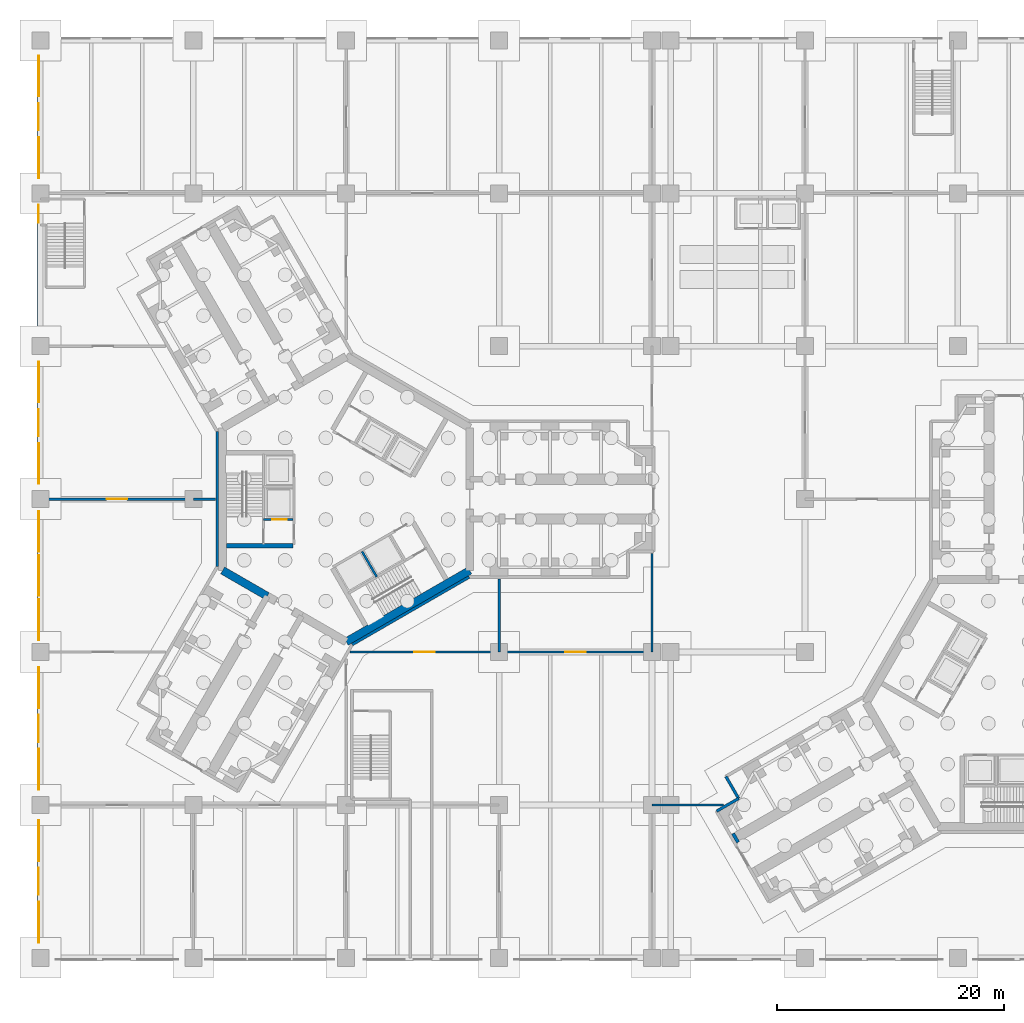
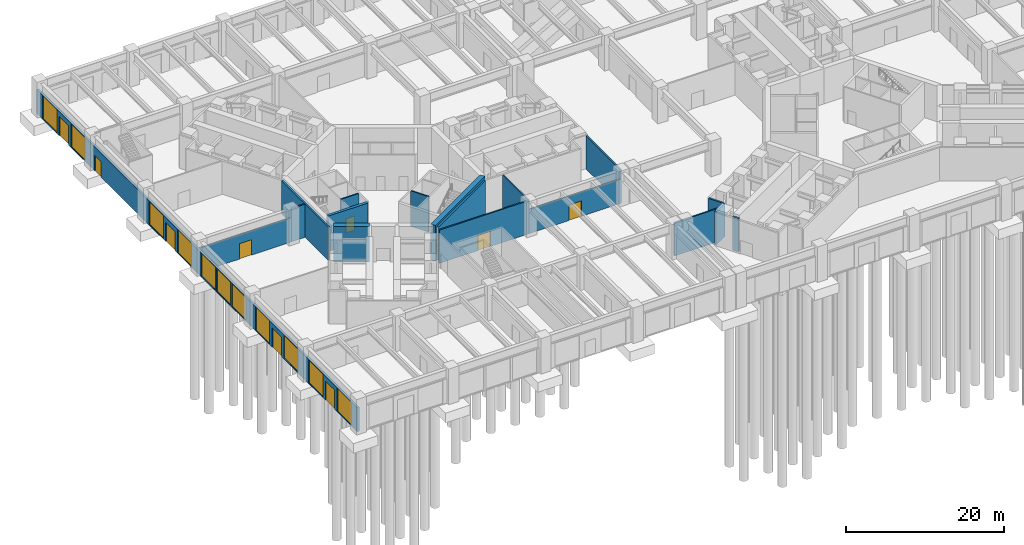
# One storey, part 7 of 18: 18 walls, 11 windows, 9 doors, 20 openings.
"""IFC4 building model written with IfcOpenShell, lengths in metres."""

from ifc_helpers import new_model, si_unit, direction, frame, frame_2d, origin, place, context, subcontext, project, spatial, rectangle, extrude, material, layer, layer_set, type_object, element, fill, save


model = new_model("IFC4")

# Units and contexts
model_context = context("Model", 3, precision=1e-05, world=origin(), true_north=direction((0.0, 1.0)))
body_context = subcontext(model_context, "Body", "Model", "MODEL_VIEW")
ifc_project = project(units=[si_unit("LENGTHUNIT", "METRE"), si_unit("AREAUNIT", "SQUARE_METRE"), si_unit("VOLUMEUNIT", "CUBIC_METRE"), si_unit("PLANEANGLEUNIT", "RADIAN"), si_unit("MASSUNIT", "GRAM", prefix="KILO")], contexts=[model_context])

# Site, building, storey
site_placement = place(None, origin())
site = spatial("IfcSite", under=ifc_project, at=site_placement, CompositionType="ELEMENT")
building_placement = place(site_placement, origin())
building = spatial("IfcBuilding", under=site, at=building_placement, Name="Upepo Twin Towers", CompositionType="ELEMENT")
storey_placement = place(building_placement, origin())
storey = spatial("IfcBuildingStorey", under=building, at=storey_placement, Name="L00", CompositionType="ELEMENT", Elevation=0.0)

# Walls
ifc_material_1 = material(Name="Dense concrete blockwork", Category="masonry")
ifc_layer_1 = layer(ifc_material_1, 0.89990234375)
ifc_layer_set_1 = layer_set([ifc_layer_1], Name="Buttress closer 900, blockwork with fire-stopping to the curtain wall")
wall_type_1 = type_object("IfcWallType", Name="Buttress closer 900, blockwork with fire-stopping to the curtain wall", PredefinedType="PARTITIONING", material=ifc_layer_set_1)
wall_1_placement = place(storey_placement, frame((34.502197265625, -29.83447265625, 0.0), z_axis=(0.0, 0.0, 1.0), x_axis=(-0.866131372301, -0.499816412211, 0.0)))
element("IfcWall", 1, at=wall_1_placement, inside=storey, type_object=wall_type_1, Name="T2 L00 wing B buttress closer R", PredefinedType="PARTITIONING", context=body_context, shape_type="SweptSolid", body=[
    extrude(rectangle(XDim=0.2998046875, YDim=0.89990234375, at=frame_2d((0.14990234375, 0.0))), origin(), (0.0, 0.0, 1.0), 5.14990234375),
])
ifc_material_2 = material(Name="Concrete C60/75", Category="concrete")
ifc_layer_2 = layer(ifc_material_2, 0.699951171875)
ifc_layer_set_2 = layer_set([ifc_layer_2], Name="Concrete C60/75")
wall_type_2 = type_object("IfcWallType", Name="Core wall 700 RC", PredefinedType="SHEAR", material=ifc_layer_set_2)
wall_2_placement = place(storey_placement, frame((-10.908447265625, -6.2978515625, 0.0), z_axis=(0.0, 0.0, 1.0), x_axis=(0.866034513004, -0.499984222037, 0.0)))
element("IfcWall", 2, at=wall_2_placement, inside=storey, type_object=wall_type_2, Name="T1 core wall 240 R", PredefinedType="SHEAR", context=body_context, shape_type="SweptSolid", body=[
    extrude(rectangle(XDim=4.548095703125, YDim=0.699951171875, at=frame_2d((2.27392578125, 0.0))), origin(), (0.0, 0.0, 1.0), 5.5),
])
wall_3_placement = place(storey_placement, frame((0.0, -12.595947265625, 0.0), z_axis=(0.0, 0.0, 1.0), x_axis=(0.866021940709, 0.500005998175, 0.0)))
element("IfcWall", 3, at=wall_3_placement, inside=storey, type_object=wall_type_2, Name="T1 core wall 300", PredefinedType="SHEAR", context=body_context, shape_type="SweptSolid", body=[
    extrude(rectangle(XDim=12.595947265625, YDim=0.699951171875, at=frame_2d((6.2978515625, 0.0))), origin(), (0.0, 0.0, 1.0), 5.5),
])

# Wall, opening, door
ifc_material_3 = material(Name="Concrete blockwork", Category="masonry")
ifc_layer_3 = layer(ifc_material_3, 0.199951171875)
ifc_layer_set_3 = layer_set([ifc_layer_3], Name="Podium partition 200 blockwork")
wall_type_3 = type_object("IfcWallType", Name="Podium partition 200 blockwork", PredefinedType="PARTITIONING", material=ifc_layer_set_3)
wall_4_placement = place(storey_placement, frame((-27.0, 0.0, 0.0), z_axis=(0.0, 0.0, 1.0), x_axis=(1.0, 0.0, 0.0)))
wall_4 = element("IfcWall", 4, at=wall_4_placement, inside=storey, type_object=wall_type_3, Name="L00 podium wall Y03", PredefinedType="PARTITIONING", context=body_context, shape_type="SweptSolid", body=[
    extrude(rectangle(XDim=13.5, YDim=0.199951171875, at=frame_2d((6.75, 0.0))), origin(), (0.0, 0.0, 1.0), 3.75),
])
opening_1_placement = place(wall_4_placement, frame((5.85009765625, 0.0, 0.0)))
opening_1 = element("IfcOpeningElement", 5, at=opening_1_placement, cuts=wall_4, Name="Opening D10", PredefinedType="OPENING", context=body_context, shape_type="SweptSolid", body=[
    extrude(rectangle(XDim=1.800048828125, YDim=2.39990234375, at=frame_2d((0.89990234375, 1.199951171875))), frame((0.0, 0.10986328125, 0.0), z_axis=(0.0, -1.0, 0.0), x_axis=(1.0, 0.0, 0.0)), (0.0, 0.0, 1.0), 0.219970703125),
])
ifc_material_4 = material(Name="Timber doorset", Category="wood")
door_type_1 = type_object("IfcDoorType", Name="Podium double door 1800", OperationType="DOUBLE_DOOR_DOUBLE_SWING", PredefinedType="DOOR", material=ifc_material_4)
door_1_placement = place(opening_1_placement, origin())
door_1 = element("IfcDoor", 6, at=door_1_placement, inside=storey, type_object=door_type_1, Name="L00 fire command centre-bookshop door", OperationType="DOUBLE_DOOR_DOUBLE_SWING", OverallHeight=2.39990234375, OverallWidth=1.800048828125, PredefinedType="DOOR", context=body_context, shape_type="SweptSolid", body=[
    extrude(rectangle(XDim=1.800048828125, YDim=2.39990234375, at=frame_2d((0.89990234375, 1.199951171875))), frame((0.0, 0.02490234375, 0.0), z_axis=(0.0, -1.0, 0.0), x_axis=(1.0, 0.0, 0.0)), (0.0, 0.0, 1.0), 0.050048828125),
])
fill(opening_1, door_1)

# Wall
wall_5_placement = place(storey_placement, frame((-13.5, 0.0, 0.0), z_axis=(0.0, 0.0, 1.0), x_axis=(1.0, 0.0, 0.0)))
element("IfcWall", 7, at=wall_5_placement, inside=storey, type_object=wall_type_3, Name="L00 podium wall Y13", PredefinedType="PARTITIONING", context=body_context, shape_type="SweptSolid", body=[
    extrude(rectangle(XDim=1.941650390625, YDim=0.199951171875, at=frame_2d((0.970703125, 0.0))), origin(), (0.0, 0.0, 1.0), 5.14990234375),
])

# Wall, opening, door
wall_6_placement = place(storey_placement, frame((0.346435546875, -13.5, 0.0), z_axis=(0.0, 0.0, 1.0), x_axis=(1.0, 0.0, 0.0)))
wall_6 = element("IfcWall", 8, at=wall_6_placement, inside=storey, type_object=wall_type_3, Name="L00 podium wall Y22", PredefinedType="PARTITIONING", context=body_context, shape_type="SweptSolid", body=[
    extrude(rectangle(XDim=13.153564453125, YDim=0.199951171875, at=frame_2d((6.57666015625, 0.0))), origin(), (0.0, 0.0, 1.0), 5.14990234375),
])
opening_2_placement = place(wall_6_placement, frame((5.6767578125, 0.0, 0.0)))
opening_2 = element("IfcOpeningElement", 9, at=opening_2_placement, cuts=wall_6, Name="Opening D10", PredefinedType="OPENING", context=body_context, shape_type="SweptSolid", body=[
    extrude(rectangle(XDim=1.800048828125, YDim=2.39990234375, at=frame_2d((0.89990234375, 1.199951171875))), frame((0.0, 0.10986328125, 0.0), z_axis=(0.0, -1.0, 0.0), x_axis=(1.0, 0.0, 0.0)), (0.0, 0.0, 1.0), 0.219970703125),
])
door_2_placement = place(opening_2_placement, origin())
door_2 = element("IfcDoor", 10, at=door_2_placement, inside=storey, type_object=door_type_1, Name="L00 toilets door", OperationType="DOUBLE_DOOR_DOUBLE_SWING", OverallHeight=2.39990234375, OverallWidth=1.800048828125, PredefinedType="DOOR", context=body_context, shape_type="SweptSolid", body=[
    extrude(rectangle(XDim=1.800048828125, YDim=2.39990234375, at=frame_2d((0.89990234375, 1.199951171875))), frame((0.0, 0.02490234375, 0.0), z_axis=(0.0, -1.0, 0.0), x_axis=(1.0, 0.0, 0.0)), (0.0, 0.0, 1.0), 0.050048828125),
])
fill(opening_2, door_2)

# Wall
wall_7_placement = place(storey_placement, frame((13.5, -13.5, 0.0), z_axis=(0.0, 0.0, 1.0), x_axis=(0.0, 1.0, 0.0)))
element("IfcWall", 11, at=wall_7_placement, inside=storey, type_object=wall_type_3, Name="L00 podium wall X32", PredefinedType="PARTITIONING", context=body_context, shape_type="SweptSolid", body=[
    extrude(rectangle(XDim=6.449951171875, YDim=0.199951171875, at=frame_2d((3.22509765625, 0.0))), origin(), (0.0, 0.0, 1.0), 5.14990234375),
])

# Wall, opening, door
wall_8_placement = place(storey_placement, frame((13.5, -13.5, 0.0), z_axis=(0.0, 0.0, 1.0), x_axis=(1.0, 0.0, 0.0)))
wall_8 = element("IfcWall", 12, at=wall_8_placement, inside=storey, type_object=wall_type_3, Name="L00 podium wall Y32", PredefinedType="PARTITIONING", context=body_context, shape_type="SweptSolid", body=[
    extrude(rectangle(XDim=13.5, YDim=0.199951171875, at=frame_2d((6.75, 0.0))), origin(), (0.0, 0.0, 1.0), 3.75),
])
opening_3_placement = place(wall_8_placement, frame((5.85009765625, 0.0, 0.0)))
opening_3 = element("IfcOpeningElement", 13, at=opening_3_placement, cuts=wall_8, Name="Opening D10", PredefinedType="OPENING", context=body_context, shape_type="SweptSolid", body=[
    extrude(rectangle(XDim=1.800048828125, YDim=2.39990234375, at=frame_2d((0.89990234375, 1.199951171875))), frame((0.0, 0.10986328125, 0.0), z_axis=(0.0, -1.0, 0.0), x_axis=(1.0, 0.0, 0.0)), (0.0, 0.0, 1.0), 0.219970703125),
])
door_3_placement = place(opening_3_placement, origin())
door_3 = element("IfcDoor", 14, at=door_3_placement, inside=storey, type_object=door_type_1, Name="L00 student services counters door", OperationType="DOUBLE_DOOR_DOUBLE_SWING", OverallHeight=2.39990234375, OverallWidth=1.800048828125, PredefinedType="DOOR", context=body_context, shape_type="SweptSolid", body=[
    extrude(rectangle(XDim=1.800048828125, YDim=2.39990234375, at=frame_2d((0.89990234375, 1.199951171875))), frame((0.0, 0.02490234375, 0.0), z_axis=(0.0, -1.0, 0.0), x_axis=(1.0, 0.0, 0.0)), (0.0, 0.0, 1.0), 0.050048828125),
])
fill(opening_3, door_3)

# Walls
wall_9_placement = place(storey_placement, frame((27.0, -13.5, 0.0), z_axis=(0.0, 0.0, 1.0), x_axis=(0.0, 1.0, 0.0)))
element("IfcWall", 15, at=wall_9_placement, inside=storey, type_object=wall_type_3, Name="L00 podium wall X42", PredefinedType="PARTITIONING", context=body_context, shape_type="SweptSolid", body=[
    extrude(rectangle(XDim=8.699951171875, YDim=0.199951171875, at=frame_2d((4.35009765625, 0.0))), origin(), (0.0, 0.0, 1.0), 5.14990234375),
])
wall_10_placement = place(storey_placement, frame((27.0, -27.0, 0.0), z_axis=(0.0, 0.0, 1.0), x_axis=(1.0, 0.0, 0.0)))
element("IfcWall", 16, at=wall_10_placement, inside=storey, type_object=wall_type_3, Name="L00 podium wall Y41", PredefinedType="PARTITIONING", context=body_context, shape_type="SweptSolid", body=[
    extrude(rectangle(XDim=6.3115234375, YDim=0.199951171875, at=frame_2d((3.15576171875, 0.0))), origin(), (0.0, 0.0, 1.0), 5.14990234375),
])

# Wall, openings, doors, windows
ifc_material_5 = material(Name="Blockwork with anodised aluminium cladding", Category="masonry")
ifc_layer_4 = layer(ifc_material_5, 0.300048828125)
ifc_layer_set_4 = layer_set([ifc_layer_4], Name="Podium street wall 300, pale metal")
wall_type_4 = type_object("IfcWallType", Name="Podium street wall 300, pale metal", PredefinedType="STANDARD", material=ifc_layer_set_4)
wall_11_placement = place(storey_placement, frame((-27.14990234375, 40.64990234375, 0.0), z_axis=(0.0, 0.0, 1.0), x_axis=(0.0, -1.0, 0.0)))
wall_11 = element("IfcWall", 17, at=wall_11_placement, inside=storey, type_object=wall_type_4, Name="Podium street wall W", PredefinedType="STANDARD", context=body_context, shape_type="SweptSolid", body=[
    extrude(rectangle(XDim=81.2998046875, YDim=0.300048828125, at=frame_2d((40.64990234375, 0.0))), origin(), (0.0, 0.0, 1.0), 3.75),
])
opening_4_placement = place(wall_11_placement, frame((14.64990234375, 0.0, 0.0)))
opening_4 = element("IfcOpeningElement", 18, at=opening_4_placement, cuts=wall_11, Name="Opening D16", PredefinedType="OPENING", context=body_context, shape_type="SweptSolid", body=[
    extrude(rectangle(XDim=1.60009765625, YDim=2.39990234375, at=frame_2d((0.800048828125, 1.199951171875))), frame((0.0, 0.159912109375, 0.0), z_axis=(0.0, -1.0, 0.0), x_axis=(1.0, 0.0, 0.0)), (0.0, 0.0, 1.0), 0.320068359375),
])
opening_5_placement = place(wall_11_placement, frame((1.5, 0.0, 0.10009765625)))
opening_5 = element("IfcOpeningElement", 19, at=opening_5_placement, cuts=wall_11, Name="Opening W1", PredefinedType="OPENING", context=body_context, shape_type="SweptSolid", body=[
    extrude(rectangle(XDim=3.60009765625, YDim=3.60009765625, at=frame_2d((1.800048828125, 1.800048828125))), frame((0.0, 0.159912109375, 0.0), z_axis=(0.0, -1.0, 0.0), x_axis=(1.0, 0.0, 0.0)), (0.0, 0.0, 1.0), 0.320068359375),
])
opening_6_placement = place(wall_11_placement, frame((5.699951171875, 0.0, 0.0)))
opening_6 = element("IfcOpeningElement", 20, at=opening_6_placement, cuts=wall_11, Name="Opening D7", PredefinedType="OPENING", context=body_context, shape_type="SweptSolid", body=[
    extrude(rectangle(XDim=2.39990234375, YDim=3.0, at=frame_2d((1.199951171875, 1.5))), frame((0.0, 0.159912109375, 0.0), z_axis=(0.0, -1.0, 0.0), x_axis=(1.0, 0.0, 0.0)), (0.0, 0.0, 1.0), 0.320068359375),
])
opening_7_placement = place(wall_11_placement, frame((8.699951171875, 0.0, 0.10009765625)))
opening_7 = element("IfcOpeningElement", 21, at=opening_7_placement, cuts=wall_11, Name="Opening W1", PredefinedType="OPENING", context=body_context, shape_type="SweptSolid", body=[
    extrude(rectangle(XDim=3.60009765625, YDim=3.60009765625, at=frame_2d((1.800048828125, 1.800048828125))), frame((0.0, 0.159912109375, 0.0), z_axis=(0.0, -1.0, 0.0), x_axis=(1.0, 0.0, 0.0)), (0.0, 0.0, 1.0), 0.320068359375),
])
opening_8_placement = place(wall_11_placement, frame((28.5, 0.0, 0.10009765625)))
opening_8 = element("IfcOpeningElement", 22, at=opening_8_placement, cuts=wall_11, Name="Opening W1", PredefinedType="OPENING", context=body_context, shape_type="SweptSolid", body=[
    extrude(rectangle(XDim=3.60009765625, YDim=3.60009765625, at=frame_2d((1.800048828125, 1.800048828125))), frame((0.0, 0.159912109375, 0.0), z_axis=(0.0, -1.0, 0.0), x_axis=(1.0, 0.0, 0.0)), (0.0, 0.0, 1.0), 0.320068359375),
])
opening_9_placement = place(wall_11_placement, frame((32.699951171875, 0.0, 0.0)))
opening_9 = element("IfcOpeningElement", 23, at=opening_9_placement, cuts=wall_11, Name="Opening D7", PredefinedType="OPENING", context=body_context, shape_type="SweptSolid", body=[
    extrude(rectangle(XDim=2.39990234375, YDim=3.0, at=frame_2d((1.199951171875, 1.5))), frame((0.0, 0.159912109375, 0.0), z_axis=(0.0, -1.0, 0.0), x_axis=(1.0, 0.0, 0.0)), (0.0, 0.0, 1.0), 0.320068359375),
])
opening_10_placement = place(wall_11_placement, frame((35.699951171875, 0.0, 0.10009765625)))
opening_10 = element("IfcOpeningElement", 24, at=opening_10_placement, cuts=wall_11, Name="Opening W1", PredefinedType="OPENING", context=body_context, shape_type="SweptSolid", body=[
    extrude(rectangle(XDim=3.60009765625, YDim=3.60009765625, at=frame_2d((1.800048828125, 1.800048828125))), frame((0.0, 0.159912109375, 0.0), z_axis=(0.0, -1.0, 0.0), x_axis=(1.0, 0.0, 0.0)), (0.0, 0.0, 1.0), 0.320068359375),
])
opening_11_placement = place(wall_11_placement, frame((41.699951171875, 0.0, 0.10009765625)))
opening_11 = element("IfcOpeningElement", 25, at=opening_11_placement, cuts=wall_11, Name="Opening W1", PredefinedType="OPENING", context=body_context, shape_type="SweptSolid", body=[
    extrude(rectangle(XDim=3.60009765625, YDim=3.60009765625, at=frame_2d((1.800048828125, 1.800048828125))), frame((0.0, 0.159912109375, 0.0), z_axis=(0.0, -1.0, 0.0), x_axis=(1.0, 0.0, 0.0)), (0.0, 0.0, 1.0), 0.320068359375),
])
opening_12_placement = place(wall_11_placement, frame((45.60009765625, 0.0, 0.10009765625)))
opening_12 = element("IfcOpeningElement", 26, at=opening_12_placement, cuts=wall_11, Name="Opening W1", PredefinedType="OPENING", context=body_context, shape_type="SweptSolid", body=[
    extrude(rectangle(XDim=3.60009765625, YDim=3.60009765625, at=frame_2d((1.800048828125, 1.800048828125))), frame((0.0, 0.159912109375, 0.0), z_axis=(0.0, -1.0, 0.0), x_axis=(1.0, 0.0, 0.0)), (0.0, 0.0, 1.0), 0.320068359375),
])
opening_13_placement = place(wall_11_placement, frame((49.5, 0.0, 0.10009765625)))
opening_13 = element("IfcOpeningElement", 27, at=opening_13_placement, cuts=wall_11, Name="Opening W1", PredefinedType="OPENING", context=body_context, shape_type="SweptSolid", body=[
    extrude(rectangle(XDim=3.60009765625, YDim=3.60009765625, at=frame_2d((1.800048828125, 1.800048828125))), frame((0.0, 0.159912109375, 0.0), z_axis=(0.0, -1.0, 0.0), x_axis=(1.0, 0.0, 0.0)), (0.0, 0.0, 1.0), 0.320068359375),
])
opening_14_placement = place(wall_11_placement, frame((55.5, 0.0, 0.10009765625)))
opening_14 = element("IfcOpeningElement", 28, at=opening_14_placement, cuts=wall_11, Name="Opening W1", PredefinedType="OPENING", context=body_context, shape_type="SweptSolid", body=[
    extrude(rectangle(XDim=3.60009765625, YDim=3.60009765625, at=frame_2d((1.800048828125, 1.800048828125))), frame((0.0, 0.159912109375, 0.0), z_axis=(0.0, -1.0, 0.0), x_axis=(1.0, 0.0, 0.0)), (0.0, 0.0, 1.0), 0.320068359375),
])
opening_15_placement = place(wall_11_placement, frame((59.699951171875, 0.0, 0.0)))
opening_15 = element("IfcOpeningElement", 29, at=opening_15_placement, cuts=wall_11, Name="Opening D7", PredefinedType="OPENING", context=body_context, shape_type="SweptSolid", body=[
    extrude(rectangle(XDim=2.39990234375, YDim=3.0, at=frame_2d((1.199951171875, 1.5))), frame((0.0, 0.159912109375, 0.0), z_axis=(0.0, -1.0, 0.0), x_axis=(1.0, 0.0, 0.0)), (0.0, 0.0, 1.0), 0.320068359375),
])
opening_16_placement = place(wall_11_placement, frame((62.699951171875, 0.0, 0.10009765625)))
opening_16 = element("IfcOpeningElement", 30, at=opening_16_placement, cuts=wall_11, Name="Opening W1", PredefinedType="OPENING", context=body_context, shape_type="SweptSolid", body=[
    extrude(rectangle(XDim=3.60009765625, YDim=3.60009765625, at=frame_2d((1.800048828125, 1.800048828125))), frame((0.0, 0.159912109375, 0.0), z_axis=(0.0, -1.0, 0.0), x_axis=(1.0, 0.0, 0.0)), (0.0, 0.0, 1.0), 0.320068359375),
])
opening_17_placement = place(wall_11_placement, frame((69.0, 0.0, 0.10009765625)))
opening_17 = element("IfcOpeningElement", 31, at=opening_17_placement, cuts=wall_11, Name="Opening W1", PredefinedType="OPENING", context=body_context, shape_type="SweptSolid", body=[
    extrude(rectangle(XDim=3.60009765625, YDim=3.60009765625, at=frame_2d((1.800048828125, 1.800048828125))), frame((0.0, 0.159912109375, 0.0), z_axis=(0.0, -1.0, 0.0), x_axis=(1.0, 0.0, 0.0)), (0.0, 0.0, 1.0), 0.320068359375),
])
opening_18_placement = place(wall_11_placement, frame((73.199951171875, 0.0, 0.0)))
opening_18 = element("IfcOpeningElement", 32, at=opening_18_placement, cuts=wall_11, Name="Opening D7", PredefinedType="OPENING", context=body_context, shape_type="SweptSolid", body=[
    extrude(rectangle(XDim=2.39990234375, YDim=3.0, at=frame_2d((1.199951171875, 1.5))), frame((0.0, 0.159912109375, 0.0), z_axis=(0.0, -1.0, 0.0), x_axis=(1.0, 0.0, 0.0)), (0.0, 0.0, 1.0), 0.320068359375),
])
opening_19_placement = place(wall_11_placement, frame((76.199951171875, 0.0, 0.10009765625)))
opening_19 = element("IfcOpeningElement", 33, at=opening_19_placement, cuts=wall_11, Name="Opening W1", PredefinedType="OPENING", context=body_context, shape_type="SweptSolid", body=[
    extrude(rectangle(XDim=3.60009765625, YDim=3.60009765625, at=frame_2d((1.800048828125, 1.800048828125))), frame((0.0, 0.159912109375, 0.0), z_axis=(0.0, -1.0, 0.0), x_axis=(1.0, 0.0, 0.0)), (0.0, 0.0, 1.0), 0.320068359375),
])
ifc_material_6 = material(Name="Aluminium glazed doorset", Category="aluminium")
door_type_2 = type_object("IfcDoorType", Name="Entrance door 2400 glazed", OperationType="DOUBLE_DOOR_DOUBLE_SWING", PredefinedType="DOOR", material=ifc_material_6)
door_4_placement = place(opening_6_placement, origin())
door_4 = element("IfcDoor", 34, at=door_4_placement, inside=storey, type_object=door_type_2, Name="Entrance door W1", OperationType="DOUBLE_DOOR_DOUBLE_SWING", OverallHeight=3.0, OverallWidth=2.39990234375, PredefinedType="DOOR", context=body_context, shape_type="SweptSolid", body=[
    extrude(rectangle(XDim=2.39990234375, YDim=3.0, at=frame_2d((1.199951171875, 1.5))), frame((0.0, 0.02490234375, 0.0), z_axis=(0.0, -1.0, 0.0), x_axis=(1.0, 0.0, 0.0)), (0.0, 0.0, 1.0), 0.050048828125),
])
fill(opening_6, door_4)
door_5_placement = place(opening_9_placement, origin())
door_5 = element("IfcDoor", 35, at=door_5_placement, inside=storey, type_object=door_type_2, Name="Entrance door W3", OperationType="DOUBLE_DOOR_DOUBLE_SWING", OverallHeight=3.0, OverallWidth=2.39990234375, PredefinedType="DOOR", context=body_context, shape_type="SweptSolid", body=[
    extrude(rectangle(XDim=2.39990234375, YDim=3.0, at=frame_2d((1.199951171875, 1.5))), frame((0.0, 0.02490234375, 0.0), z_axis=(0.0, -1.0, 0.0), x_axis=(1.0, 0.0, 0.0)), (0.0, 0.0, 1.0), 0.050048828125),
])
fill(opening_9, door_5)
door_6_placement = place(opening_15_placement, origin())
door_6 = element("IfcDoor", 36, at=door_6_placement, inside=storey, type_object=door_type_2, Name="Entrance door W5", OperationType="DOUBLE_DOOR_DOUBLE_SWING", OverallHeight=3.0, OverallWidth=2.39990234375, PredefinedType="DOOR", context=body_context, shape_type="SweptSolid", body=[
    extrude(rectangle(XDim=2.39990234375, YDim=3.0, at=frame_2d((1.199951171875, 1.5))), frame((0.0, 0.02490234375, 0.0), z_axis=(0.0, -1.0, 0.0), x_axis=(1.0, 0.0, 0.0)), (0.0, 0.0, 1.0), 0.050048828125),
])
fill(opening_15, door_6)
door_7_placement = place(opening_18_placement, origin())
door_7 = element("IfcDoor", 37, at=door_7_placement, inside=storey, type_object=door_type_2, Name="Entrance door W6", OperationType="DOUBLE_DOOR_DOUBLE_SWING", OverallHeight=3.0, OverallWidth=2.39990234375, PredefinedType="DOOR", context=body_context, shape_type="SweptSolid", body=[
    extrude(rectangle(XDim=2.39990234375, YDim=3.0, at=frame_2d((1.199951171875, 1.5))), frame((0.0, 0.02490234375, 0.0), z_axis=(0.0, -1.0, 0.0), x_axis=(1.0, 0.0, 0.0)), (0.0, 0.0, 1.0), 0.050048828125),
])
fill(opening_18, door_7)
ifc_material_7 = material(Name="Aluminium and clear glass", Category="aluminium")
window_type = type_object("IfcWindowType", Name="Shopfront window 3600x3600", PartitioningType="DOUBLE_PANEL_VERTICAL", PredefinedType="WINDOW", material=ifc_material_7)
window_1_placement = place(opening_5_placement, origin())
window_1 = element("IfcWindow", 38, at=window_1_placement, inside=storey, type_object=window_type, Name="Shopfront window W1.1", OverallHeight=3.60009765625, OverallWidth=3.60009765625, PartitioningType="SINGLE_PANEL", PredefinedType="WINDOW", context=body_context, shape_type="SweptSolid", body=[
    extrude(rectangle(XDim=3.60009765625, YDim=3.60009765625, at=frame_2d((1.800048828125, 1.800048828125))), frame((0.0, 0.030029296875, 0.0), z_axis=(0.0, -1.0, 0.0), x_axis=(1.0, 0.0, 0.0)), (0.0, 0.0, 1.0), 0.06005859375),
])
fill(opening_5, window_1)
window_2_placement = place(opening_7_placement, origin())
window_2 = element("IfcWindow", 39, at=window_2_placement, inside=storey, type_object=window_type, Name="Shopfront window W1.3", OverallHeight=3.60009765625, OverallWidth=3.60009765625, PartitioningType="SINGLE_PANEL", PredefinedType="WINDOW", context=body_context, shape_type="SweptSolid", body=[
    extrude(rectangle(XDim=3.60009765625, YDim=3.60009765625, at=frame_2d((1.800048828125, 1.800048828125))), frame((0.0, 0.030029296875, 0.0), z_axis=(0.0, -1.0, 0.0), x_axis=(1.0, 0.0, 0.0)), (0.0, 0.0, 1.0), 0.06005859375),
])
fill(opening_7, window_2)
window_3_placement = place(opening_8_placement, origin())
window_3 = element("IfcWindow", 40, at=window_3_placement, inside=storey, type_object=window_type, Name="Shopfront window W3.1", OverallHeight=3.60009765625, OverallWidth=3.60009765625, PartitioningType="SINGLE_PANEL", PredefinedType="WINDOW", context=body_context, shape_type="SweptSolid", body=[
    extrude(rectangle(XDim=3.60009765625, YDim=3.60009765625, at=frame_2d((1.800048828125, 1.800048828125))), frame((0.0, 0.030029296875, 0.0), z_axis=(0.0, -1.0, 0.0), x_axis=(1.0, 0.0, 0.0)), (0.0, 0.0, 1.0), 0.06005859375),
])
fill(opening_8, window_3)
window_4_placement = place(opening_10_placement, origin())
window_4 = element("IfcWindow", 41, at=window_4_placement, inside=storey, type_object=window_type, Name="Shopfront window W3.3", OverallHeight=3.60009765625, OverallWidth=3.60009765625, PartitioningType="SINGLE_PANEL", PredefinedType="WINDOW", context=body_context, shape_type="SweptSolid", body=[
    extrude(rectangle(XDim=3.60009765625, YDim=3.60009765625, at=frame_2d((1.800048828125, 1.800048828125))), frame((0.0, 0.030029296875, 0.0), z_axis=(0.0, -1.0, 0.0), x_axis=(1.0, 0.0, 0.0)), (0.0, 0.0, 1.0), 0.06005859375),
])
fill(opening_10, window_4)
window_5_placement = place(opening_11_placement, origin())
window_5 = element("IfcWindow", 42, at=window_5_placement, inside=storey, type_object=window_type, Name="Shopfront window W4.1", OverallHeight=3.60009765625, OverallWidth=3.60009765625, PartitioningType="SINGLE_PANEL", PredefinedType="WINDOW", context=body_context, shape_type="SweptSolid", body=[
    extrude(rectangle(XDim=3.60009765625, YDim=3.60009765625, at=frame_2d((1.800048828125, 1.800048828125))), frame((0.0, 0.030029296875, 0.0), z_axis=(0.0, -1.0, 0.0), x_axis=(1.0, 0.0, 0.0)), (0.0, 0.0, 1.0), 0.06005859375),
])
fill(opening_11, window_5)
window_6_placement = place(opening_12_placement, origin())
window_6 = element("IfcWindow", 43, at=window_6_placement, inside=storey, type_object=window_type, Name="Shopfront window W4.2", OverallHeight=3.60009765625, OverallWidth=3.60009765625, PartitioningType="SINGLE_PANEL", PredefinedType="WINDOW", context=body_context, shape_type="SweptSolid", body=[
    extrude(rectangle(XDim=3.60009765625, YDim=3.60009765625, at=frame_2d((1.800048828125, 1.800048828125))), frame((0.0, 0.030029296875, 0.0), z_axis=(0.0, -1.0, 0.0), x_axis=(1.0, 0.0, 0.0)), (0.0, 0.0, 1.0), 0.06005859375),
])
fill(opening_12, window_6)
window_7_placement = place(opening_13_placement, origin())
window_7 = element("IfcWindow", 44, at=window_7_placement, inside=storey, type_object=window_type, Name="Shopfront window W4.3", OverallHeight=3.60009765625, OverallWidth=3.60009765625, PartitioningType="SINGLE_PANEL", PredefinedType="WINDOW", context=body_context, shape_type="SweptSolid", body=[
    extrude(rectangle(XDim=3.60009765625, YDim=3.60009765625, at=frame_2d((1.800048828125, 1.800048828125))), frame((0.0, 0.030029296875, 0.0), z_axis=(0.0, -1.0, 0.0), x_axis=(1.0, 0.0, 0.0)), (0.0, 0.0, 1.0), 0.06005859375),
])
fill(opening_13, window_7)
window_8_placement = place(opening_14_placement, origin())
window_8 = element("IfcWindow", 45, at=window_8_placement, inside=storey, type_object=window_type, Name="Shopfront window W5.1", OverallHeight=3.60009765625, OverallWidth=3.60009765625, PartitioningType="SINGLE_PANEL", PredefinedType="WINDOW", context=body_context, shape_type="SweptSolid", body=[
    extrude(rectangle(XDim=3.60009765625, YDim=3.60009765625, at=frame_2d((1.800048828125, 1.800048828125))), frame((0.0, 0.030029296875, 0.0), z_axis=(0.0, -1.0, 0.0), x_axis=(1.0, 0.0, 0.0)), (0.0, 0.0, 1.0), 0.06005859375),
])
fill(opening_14, window_8)
window_9_placement = place(opening_16_placement, origin())
window_9 = element("IfcWindow", 46, at=window_9_placement, inside=storey, type_object=window_type, Name="Shopfront window W5.3", OverallHeight=3.60009765625, OverallWidth=3.60009765625, PartitioningType="SINGLE_PANEL", PredefinedType="WINDOW", context=body_context, shape_type="SweptSolid", body=[
    extrude(rectangle(XDim=3.60009765625, YDim=3.60009765625, at=frame_2d((1.800048828125, 1.800048828125))), frame((0.0, 0.030029296875, 0.0), z_axis=(0.0, -1.0, 0.0), x_axis=(1.0, 0.0, 0.0)), (0.0, 0.0, 1.0), 0.06005859375),
])
fill(opening_16, window_9)
window_10_placement = place(opening_17_placement, origin())
window_10 = element("IfcWindow", 47, at=window_10_placement, inside=storey, type_object=window_type, Name="Shopfront window W6.1", OverallHeight=3.60009765625, OverallWidth=3.60009765625, PartitioningType="SINGLE_PANEL", PredefinedType="WINDOW", context=body_context, shape_type="SweptSolid", body=[
    extrude(rectangle(XDim=3.60009765625, YDim=3.60009765625, at=frame_2d((1.800048828125, 1.800048828125))), frame((0.0, 0.030029296875, 0.0), z_axis=(0.0, -1.0, 0.0), x_axis=(1.0, 0.0, 0.0)), (0.0, 0.0, 1.0), 0.06005859375),
])
fill(opening_17, window_10)
window_11_placement = place(opening_19_placement, origin())
window_11 = element("IfcWindow", 48, at=window_11_placement, inside=storey, type_object=window_type, Name="Shopfront window W6.3", OverallHeight=3.60009765625, OverallWidth=3.60009765625, PartitioningType="SINGLE_PANEL", PredefinedType="WINDOW", context=body_context, shape_type="SweptSolid", body=[
    extrude(rectangle(XDim=3.60009765625, YDim=3.60009765625, at=frame_2d((1.800048828125, 1.800048828125))), frame((0.0, 0.030029296875, 0.0), z_axis=(0.0, -1.0, 0.0), x_axis=(1.0, 0.0, 0.0)), (0.0, 0.0, 1.0), 0.06005859375),
])
fill(opening_19, window_11)
ifc_material_8 = material(Name="Aluminium glazed doorset", Category="aluminium")
door_type_3 = type_object("IfcDoorType", Name="Stair final exit door 1600, external", OperationType="DOUBLE_DOOR_DOUBLE_SWING", PredefinedType="DOOR", material=ifc_material_8)
door_8_placement = place(opening_4_placement, origin())
door_8 = element("IfcDoor", 49, at=door_8_placement, inside=storey, type_object=door_type_3, Name="Stair PS1 final exit door", OperationType="DOUBLE_DOOR_DOUBLE_SWING", OverallHeight=2.39990234375, OverallWidth=1.60009765625, PredefinedType="DOOR", context=body_context, shape_type="SweptSolid", body=[
    extrude(rectangle(XDim=1.60009765625, YDim=2.39990234375, at=frame_2d((0.800048828125, 1.199951171875))), frame((0.0, 0.02490234375, 0.0), z_axis=(0.0, -1.0, 0.0), x_axis=(1.0, 0.0, 0.0)), (0.0, 0.0, 1.0), 0.050048828125),
])
fill(opening_4, door_8)

# Wall, opening, door
ifc_material_9 = material(Name="Concrete C40/50", Category="concrete")
ifc_layer_5 = layer(ifc_material_9, 0.199951171875)
ifc_layer_set_5 = layer_set([ifc_layer_5], Name="Concrete C40/50")
wall_type_5 = type_object("IfcWallType", Name="Shaft wall 200 RC", PredefinedType="SHEAR", material=ifc_layer_set_5)
wall_12_placement = place(storey_placement, frame((-4.699951171875, -1.800048828125, 0.0), z_axis=(0.0, 0.0, 1.0), x_axis=(-1.0, 0.0, 0.0)))
wall_12 = element("IfcWall", 50, at=wall_12_placement, inside=storey, type_object=wall_type_5, Name="T1 core W180 lobby wall", PredefinedType="SHEAR", context=body_context, shape_type="SweptSolid", body=[
    extrude(rectangle(XDim=2.60009765625, YDim=0.199951171875, at=frame_2d((1.300048828125, 0.0))), origin(), (0.0, 0.0, 1.0), 5.5),
])
opening_20_placement = place(wall_12_placement, frame((0.550048828125, 0.0, 0.0)))
opening_20 = element("IfcOpeningElement", 51, at=opening_20_placement, cuts=wall_12, Name="Opening LD2", PredefinedType="OPENING", context=body_context, shape_type="SweptSolid", body=[
    extrude(rectangle(XDim=1.300048828125, YDim=2.199951171875, at=frame_2d((0.64990234375, 1.10009765625))), frame((0.0, 0.10986328125, 0.0), z_axis=(0.0, -1.0, 0.0), x_axis=(1.0, 0.0, 0.0)), (0.0, 0.0, 1.0), 0.219970703125),
])
ifc_material_10 = material(Name="Steel doorset", Category="steel")
door_type_4 = type_object("IfcDoorType", Name="Firefighting lift landing door 1300", OperationType="DOUBLE_DOOR_SLIDING", PredefinedType="DOOR", material=ifc_material_10)
door_9_placement = place(opening_20_placement, origin())
door_9 = element("IfcDoor", 52, at=door_9_placement, inside=storey, type_object=door_type_4, Name="T1 L00 firefighting lift landing door", OperationType="DOUBLE_DOOR_SLIDING", OverallHeight=2.199951171875, OverallWidth=1.300048828125, PredefinedType="DOOR", context=body_context, shape_type="SweptSolid", body=[
    extrude(rectangle(XDim=1.300048828125, YDim=2.199951171875, at=frame_2d((0.64990234375, 1.10009765625))), frame((0.0, 0.02490234375, 0.0), z_axis=(0.0, -1.0, 0.0), x_axis=(1.0, 0.0, 0.0)), (0.0, 0.0, 1.0), 0.050048828125),
])
fill(opening_20, door_9)

# Walls
wall_13_placement = place(storey_placement, frame((1.3974609375, -4.620361328125, 0.0), z_axis=(0.0, 0.0, 1.0), x_axis=(0.499936506574, -0.866062058628, 0.0)))
element("IfcWall", 53, at=wall_13_placement, inside=storey, type_object=wall_type_5, Name="T1 core W300 shaft divider", PredefinedType="SHEAR", context=body_context, shape_type="SweptSolid", body=[
    extrude(rectangle(XDim=2.599853515625, YDim=0.199951171875, at=frame_2d((1.2998046875, 0.0))), origin(), (0.0, 0.0, 1.0), 5.5),
])
ifc_material_11 = material(Name="Concrete C40/50", Category="concrete")
ifc_layer_6 = layer(ifc_material_11, 0.39990234375)
ifc_layer_set_6 = layer_set([ifc_layer_6], Name="Concrete C40/50")
wall_type_6 = type_object("IfcWallType", Name="Shaft wall 400 RC", PredefinedType="SHEAR", material=ifc_layer_set_6)
wall_14_placement = place(storey_placement, frame((-4.699951171875, -4.10009765625, 0.0), z_axis=(0.0, 0.0, 1.0), x_axis=(-1.0, 0.0, 0.0)))
element("IfcWall", 54, at=wall_14_placement, inside=storey, type_object=wall_type_6, Name="T1 core W180 side wall N", PredefinedType="SHEAR", context=body_context, shape_type="SweptSolid", body=[
    extrude(rectangle(XDim=5.8583984375, YDim=0.39990234375, at=frame_2d((2.92919921875, 0.0))), origin(), (0.0, 0.0, 1.0), 5.5),
])
ifc_material_12 = material(Name="Concrete blockwork", Category="masonry")
ifc_layer_7 = layer(ifc_material_12, 0.25)
ifc_layer_set_7 = layer_set([ifc_layer_7], Name="Tower enclosure wall 250 blockwork")
wall_type_7 = type_object("IfcWallType", Name="Tower enclosure wall 250 blockwork", PredefinedType="STANDARD", material=ifc_layer_set_7)
for number, where, z_axis, x_axis, name in (
    (55, (-11.38330078125, -5.966552734375, 0.0), (0.0, 0.0, 1.0), (0.0, 1.0, 0.0), "T1 L00 enclosure wall 6"),
    (56, (10.85888671875, -6.875, 0.0), (0.0, 0.0, 1.0), (-0.866027502425, -0.499996365031, 0.0), "T1 L00 enclosure wall 22"),
):
    element("IfcWall", number, at=place(storey_placement, frame(where, z_axis=z_axis, x_axis=x_axis)), inside=storey, type_object=wall_type_7, Name=name, PredefinedType="STANDARD", context=body_context, shape_type="SweptSolid", body=[
        extrude(rectangle(XDim=11.93310546875, YDim=0.25, at=frame_2d((5.966552734375, 0.0))), origin(), (0.0, 0.0, 1.0), 5.14990234375),
    ])
for number, where, z_axis, x_axis, name in (
    (57, (32.696533203125, -27.55712890625, 0.0), (0.0, 0.0, 1.0), (0.866017533419, 0.500013631625, 0.0), "T2 L00 enclosure wall 11"),
    (58, (34.64501953125, -26.43212890625, 0.0), (0.0, 0.0, 1.0), (-0.500013631625, 0.866017533419, 0.0), "T2 L00 enclosure wall 12"),
):
    element("IfcWall", number, at=place(storey_placement, frame(where, z_axis=z_axis, x_axis=x_axis)), inside=storey, type_object=wall_type_7, Name=name, PredefinedType="STANDARD", context=body_context, shape_type="SweptSolid", body=[
        extrude(rectangle(XDim=2.25, YDim=0.25, at=frame_2d((1.125, 0.0))), origin(), (0.0, 0.0, 1.0), 5.14990234375),
    ])

save(model, "model.ifc")
